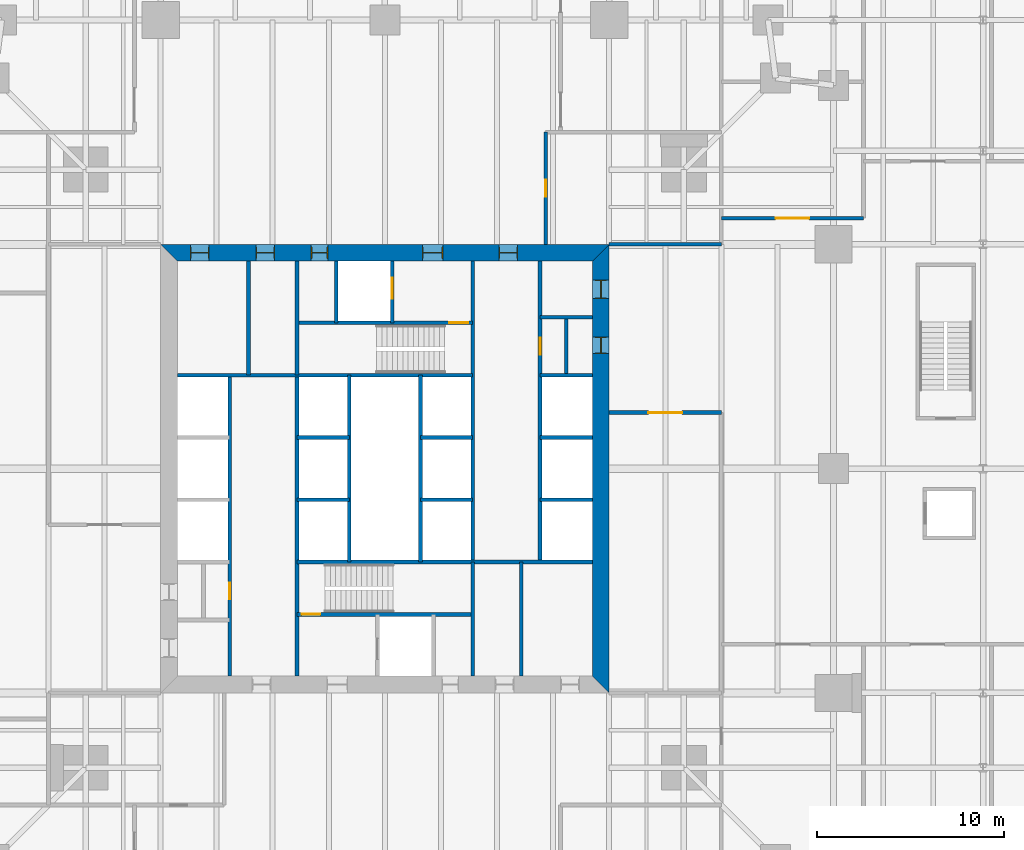
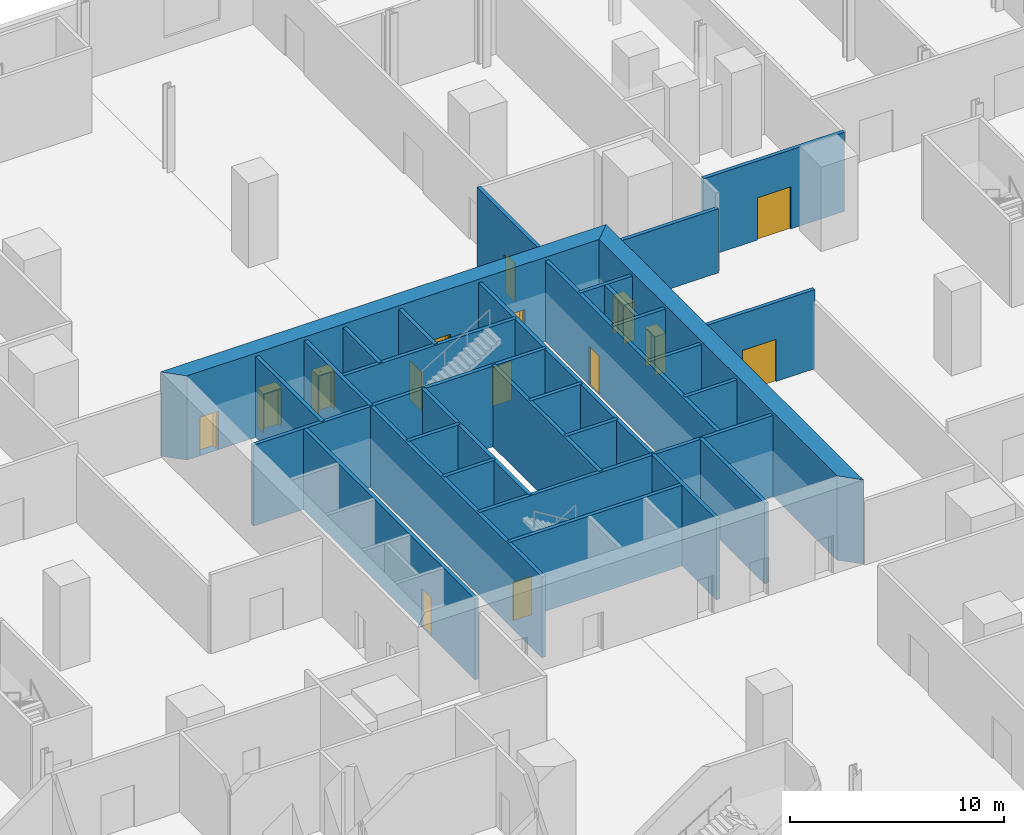
# One storey, part 12 of 16: 31 walls, 15 doors, 15 openings.
"""IFC4 building model written with IfcOpenShell, lengths in metres."""

from ifc_helpers import new_model, si_unit, direction, frame, frame_2d, origin, place, context, subcontext, project, spatial, polyline, rectangle, outline, extrude, material, layer, layer_set, type_object, element, fill, save


model = new_model("IFC4")

# Units and contexts
model_context = context("Model", 3, precision=1e-05, world=origin(), true_north=direction((0.0, 1.0)))
body_context = subcontext(model_context, "Body", "Model", "MODEL_VIEW")
ifc_project = project(units=[si_unit("LENGTHUNIT", "METRE"), si_unit("AREAUNIT", "SQUARE_METRE"), si_unit("VOLUMEUNIT", "CUBIC_METRE"), si_unit("PLANEANGLEUNIT", "RADIAN"), si_unit("MASSUNIT", "GRAM", prefix="KILO")], contexts=[model_context])

# Site, building, storey
site_placement = place(None, origin())
site = spatial("IfcSite", under=ifc_project, at=site_placement, CompositionType="ELEMENT")
building_placement = place(site_placement, origin())
building = spatial("IfcBuilding", under=site, at=building_placement, Name="Fenwick Lantern Interchange", CompositionType="ELEMENT")
storey_placement = place(building_placement, frame((0.0, 0.0, 7.0)))
storey = spatial("IfcBuildingStorey", under=building, at=storey_placement, Name="L01", CompositionType="ELEMENT", Elevation=7.0)

# Wall, opening, door
ifc_material_1 = material(Name="Concrete masonry ASTM C90 Grade N", Category="masonry")
ifc_layer_1 = layer(ifc_material_1, 0.199951171875)
ifc_layer_set_1 = layer_set([ifc_layer_1], Name="Concrete masonry ASTM C90 Grade N")
wall_type_1 = type_object("IfcWallType", Name="CORE PARTITION 200", PredefinedType="PARTITIONING", material=ifc_layer_set_1)
wall_1_placement = place(storey_placement, frame((16.699951171875, 13.89990234375, 0.0), z_axis=(0.0, 0.0, 1.0), x_axis=(0.0, 1.0, 0.0)))
wall_1 = element("IfcWall", 1, at=wall_1_placement, inside=storey, type_object=wall_type_1, Name="L01/W/CORES/a", PredefinedType="PARTITIONING", context=body_context, shape_type="SweptSolid", body=[
    extrude(rectangle(XDim=16.10009765625, YDim=0.199951171875, at=frame_2d((8.050048828125, 0.0))), origin(), (0.0, 0.0, 1.0), 4.60009765625),
])
opening_1_placement = place(wall_1_placement, frame((4.10009765625, 0.0, 0.0)))
opening_1 = element("IfcOpeningElement", 2, at=opening_1_placement, cuts=wall_1, Name="Opening L01-D008", PredefinedType="OPENING", context=body_context, shape_type="SweptSolid", body=[
    extrude(rectangle(XDim=0.89990234375, YDim=2.199951171875, at=frame_2d((0.449951171875, 1.10009765625))), frame((0.0, 0.10986328125, 0.0), z_axis=(0.0, -1.0, 0.0), x_axis=(1.0, 0.0, 0.0)), (0.0, 0.0, 1.0), 0.219970703125),
])
ifc_material_2 = material(Name="Steel door and frame", Category="steel")
door_type_1 = type_object("IfcDoorType", Name="SERVICE DOOR 900 X 2200", OperationType="SINGLE_SWING_LEFT", PredefinedType="DOOR", material=ifc_material_2)
door_1_placement = place(opening_1_placement, origin())
door_1 = element("IfcDoor", 3, at=door_1_placement, inside=storey, type_object=door_type_1, Name="Service door", OperationType="SINGLE_SWING_LEFT", OverallHeight=2.199951171875, OverallWidth=0.89990234375, PredefinedType="DOOR", context=body_context, shape_type="SweptSolid", body=[
    extrude(rectangle(XDim=0.89990234375, YDim=2.199951171875, at=frame_2d((0.449951171875, 1.10009765625))), frame((0.0, 0.02490234375, 0.0), z_axis=(0.0, -1.0, 0.0), x_axis=(1.0, 0.0, 0.0)), (0.0, 0.0, 1.0), 0.050048828125),
])
fill(opening_1, door_1)

# Walls
for number, where, z_axis, x_axis, name in (
    (4, (20.300048828125, 23.333251953125, 0.0), (0.0, 0.0, 1.0), (1.0, 0.0, 0.0), "L01/W/CORES/e1"),
    (5, (20.300048828125, 26.666748046875, 0.0), (0.0, 0.0, 1.0), (1.0, 0.0, 0.0), "L01/W/CORES/e2"),
):
    element("IfcWall", number, at=place(storey_placement, frame(where, z_axis=z_axis, x_axis=x_axis)), inside=storey, type_object=wall_type_1, Name=name, PredefinedType="PARTITIONING", context=body_context, shape_type="SweptSolid", body=[
        extrude(rectangle(XDim=2.800048828125, YDim=0.199951171875, at=frame_2d((1.39990234375, 0.0))), origin(), (0.0, 0.0, 1.0), 4.60009765625),
    ])
wall_2_placement = place(storey_placement, frame((23.10009765625, 20.0, 0.0), z_axis=(0.0, 0.0, 1.0), x_axis=(0.0, 1.0, 0.0)))
element("IfcWall", 6, at=wall_2_placement, inside=storey, type_object=wall_type_1, Name="L01/W/CORES/e3", PredefinedType="PARTITIONING", context=body_context, shape_type="SweptSolid", body=[
    extrude(rectangle(XDim=10.0, YDim=0.199951171875, at=frame_2d((5.0, 0.0))), origin(), (0.0, 0.0, 1.0), 4.60009765625),
])
wall_3_placement = place(storey_placement, frame((32.300048828125, 13.89990234375, 0.0), z_axis=(0.0, 0.0, 1.0), x_axis=(0.0, 1.0, 0.0)))
element("IfcWall", 7, at=wall_3_placement, inside=storey, type_object=wall_type_1, Name="L01/W/CORES/i2", PredefinedType="PARTITIONING", context=body_context, shape_type="SweptSolid", body=[
    extrude(rectangle(XDim=6.10009765625, YDim=0.199951171875, at=frame_2d((3.050048828125, 0.0))), origin(), (0.0, 0.0, 1.0), 4.60009765625),
])

# Wall, opening, door
wall_4_placement = place(storey_placement, frame((33.300048828125, 36.10009765625, 0.0), z_axis=(0.0, 0.0, 1.0), x_axis=(0.0, -1.0, 0.0)))
wall_4 = element("IfcWall", 8, at=wall_4_placement, inside=storey, type_object=wall_type_1, Name="L01/W/COREN/a", PredefinedType="PARTITIONING", context=body_context, shape_type="SweptSolid", body=[
    extrude(rectangle(XDim=16.10009765625, YDim=0.199951171875, at=frame_2d((8.050048828125, 0.0))), origin(), (0.0, 0.0, 1.0), 4.60009765625),
])
opening_2_placement = place(wall_4_placement, frame((4.10009765625, 0.0, 0.0)))
opening_2 = element("IfcOpeningElement", 9, at=opening_2_placement, cuts=wall_4, Name="Opening L01-D017", PredefinedType="OPENING", context=body_context, shape_type="SweptSolid", body=[
    extrude(rectangle(XDim=0.89990234375, YDim=2.199951171875, at=frame_2d((0.449951171875, 1.10009765625))), frame((0.0, 0.10986328125, 0.0), z_axis=(0.0, -1.0, 0.0), x_axis=(1.0, 0.0, 0.0)), (0.0, 0.0, 1.0), 0.219970703125),
])
door_2_placement = place(opening_2_placement, origin())
door_2 = element("IfcDoor", 10, at=door_2_placement, inside=storey, type_object=door_type_1, Name="Service door", OperationType="SINGLE_SWING_LEFT", OverallHeight=2.199951171875, OverallWidth=0.89990234375, PredefinedType="DOOR", context=body_context, shape_type="SweptSolid", body=[
    extrude(rectangle(XDim=0.89990234375, YDim=2.199951171875, at=frame_2d((0.449951171875, 1.10009765625))), frame((0.0, 0.02490234375, 0.0), z_axis=(0.0, -1.0, 0.0), x_axis=(1.0, 0.0, 0.0)), (0.0, 0.0, 1.0), 0.050048828125),
])
fill(opening_2, door_2)

# Walls
for number, where, z_axis, x_axis, name in (
    (11, (36.10009765625, 30.0, 0.0), (0.0, 0.0, 1.0), (-1.0, 0.0, 0.0), "L01/W/COREN/c2"),
    (12, (36.10009765625, 26.666748046875, 0.0), (0.0, 0.0, 1.0), (-1.0, 0.0, 0.0), "L01/W/COREN/d1"),
    (13, (36.10009765625, 23.333251953125, 0.0), (0.0, 0.0, 1.0), (-1.0, 0.0, 0.0), "L01/W/COREN/d2"),
    (14, (29.699951171875, 26.666748046875, 0.0), (0.0, 0.0, 1.0), (-1.0, 0.0, 0.0), "L01/W/COREN/e1"),
    (15, (29.699951171875, 23.333251953125, 0.0), (0.0, 0.0, 1.0), (-1.0, 0.0, 0.0), "L01/W/COREN/e2"),
):
    element("IfcWall", number, at=place(storey_placement, frame(where, z_axis=z_axis, x_axis=x_axis)), inside=storey, type_object=wall_type_1, Name=name, PredefinedType="PARTITIONING", context=body_context, shape_type="SweptSolid", body=[
        extrude(rectangle(XDim=2.800048828125, YDim=0.199951171875, at=frame_2d((1.39990234375, 0.0))), origin(), (0.0, 0.0, 1.0), 4.60009765625),
    ])
wall_5_placement = place(storey_placement, frame((26.89990234375, 30.0, 0.0), z_axis=(0.0, 0.0, 1.0), x_axis=(0.0, -1.0, 0.0)))
element("IfcWall", 16, at=wall_5_placement, inside=storey, type_object=wall_type_1, Name="L01/W/COREN/e3", PredefinedType="PARTITIONING", context=body_context, shape_type="SweptSolid", body=[
    extrude(rectangle(XDim=10.0, YDim=0.199951171875, at=frame_2d((5.0, 0.0))), origin(), (0.0, 0.0, 1.0), 4.60009765625),
])

# Wall, opening, door
wall_6_placement = place(storey_placement, frame((25.39990234375, 36.10009765625, 0.0), z_axis=(0.0, 0.0, 1.0), x_axis=(0.0, -1.0, 0.0)))
wall_6 = element("IfcWall", 17, at=wall_6_placement, inside=storey, type_object=wall_type_1, Name="L01/W/COREN/h1", PredefinedType="PARTITIONING", context=body_context, shape_type="SweptSolid", body=[
    extrude(rectangle(XDim=3.300048828125, YDim=0.199951171875, at=frame_2d((1.64990234375, 0.0))), origin(), (0.0, 0.0, 1.0), 4.60009765625),
])
opening_3_placement = place(wall_6_placement, frame((0.89990234375, 0.0, 0.0)))
opening_3 = element("IfcOpeningElement", 18, at=opening_3_placement, cuts=wall_6, Name="Opening LD-FL2", PredefinedType="OPENING", context=body_context, shape_type="SweptSolid", body=[
    extrude(rectangle(XDim=1.10009765625, YDim=2.199951171875, at=frame_2d((0.550048828125, 1.10009765625))), frame((0.0, 0.10986328125, 0.0), z_axis=(0.0, -1.0, 0.0), x_axis=(1.0, 0.0, 0.0)), (0.0, 0.0, 1.0), 0.219970703125),
])
door_type_2 = type_object("IfcDoorType", Name="LIFT LANDING DOOR 1100 X 2200", OperationType="DOUBLE_DOOR_SLIDING", PredefinedType="DOOR", material=ifc_material_2)
door_3_placement = place(opening_3_placement, origin())
door_3 = element("IfcDoor", 19, at=door_3_placement, inside=storey, type_object=door_type_2, Name="Lift landing door FL2", OperationType="DOUBLE_DOOR_SLIDING", OverallHeight=2.199951171875, OverallWidth=1.10009765625, PredefinedType="DOOR", context=body_context, shape_type="SweptSolid", body=[
    extrude(rectangle(XDim=1.10009765625, YDim=2.199951171875, at=frame_2d((0.550048828125, 1.10009765625))), frame((0.0, 0.02490234375, 0.0), z_axis=(0.0, -1.0, 0.0), x_axis=(1.0, 0.0, 0.0)), (0.0, 0.0, 1.0), 0.050048828125),
])
fill(opening_3, door_3)

# Walls
wall_7_placement = place(storey_placement, frame((22.39990234375, 36.10009765625, 0.0), z_axis=(0.0, 0.0, 1.0), x_axis=(0.0, -1.0, 0.0)))
element("IfcWall", 20, at=wall_7_placement, inside=storey, type_object=wall_type_1, Name="L01/W/COREN/h2", PredefinedType="PARTITIONING", context=body_context, shape_type="SweptSolid", body=[
    extrude(rectangle(XDim=3.300048828125, YDim=0.199951171875, at=frame_2d((1.64990234375, 0.0))), origin(), (0.0, 0.0, 1.0), 4.60009765625),
])
wall_8_placement = place(storey_placement, frame((17.699951171875, 36.10009765625, 0.0), z_axis=(0.0, 0.0, 1.0), x_axis=(0.0, -1.0, 0.0)))
element("IfcWall", 21, at=wall_8_placement, inside=storey, type_object=wall_type_1, Name="L01/W/COREN/i2", PredefinedType="PARTITIONING", context=body_context, shape_type="SweptSolid", body=[
    extrude(rectangle(XDim=6.10009765625, YDim=0.199951171875, at=frame_2d((3.050048828125, 0.0))), origin(), (0.0, 0.0, 1.0), 4.60009765625),
])
wall_9_placement = place(storey_placement, frame((36.10009765625, 33.10009765625, 0.0), z_axis=(0.0, 0.0, 1.0), x_axis=(-1.0, 0.0, 0.0)))
element("IfcWall", 22, at=wall_9_placement, inside=storey, type_object=wall_type_1, Name="L01/W/COREN/p1", PredefinedType="PARTITIONING", context=body_context, shape_type="SweptSolid", body=[
    extrude(rectangle(XDim=2.800048828125, YDim=0.199951171875, at=frame_2d((1.39990234375, 0.0))), origin(), (0.0, 0.0, 1.0), 4.60009765625),
])
wall_10_placement = place(storey_placement, frame((34.699951171875, 33.10009765625, 0.0), z_axis=(0.0, 0.0, 1.0), x_axis=(0.0, -1.0, 0.0)))
element("IfcWall", 23, at=wall_10_placement, inside=storey, type_object=wall_type_1, Name="L01/W/COREN/px", PredefinedType="PARTITIONING", context=body_context, shape_type="SweptSolid", body=[
    extrude(rectangle(XDim=3.10009765625, YDim=0.199951171875, at=frame_2d((1.550048828125, 0.0))), origin(), (0.0, 0.0, 1.0), 4.60009765625),
])

# Wall, openings, doors
ifc_material_3 = material(Name="Concrete f'c 70 MPa", Category="concrete")
ifc_layer_2 = layer(ifc_material_3, 0.89990234375)
ifc_layer_set_2 = layer_set([ifc_layer_2], Name="CORE WALL 900")
wall_type_2 = type_object("IfcWallType", Name="CORE WALL 900", PredefinedType="SHEAR", material=ifc_layer_set_2)
wall_11_placement = place(storey_placement, frame((36.550048828125, 13.89990234375, 0.0), z_axis=(0.0, 0.0, 1.0), x_axis=(0.0, 1.0, 0.0)))
wall_11 = element("IfcWall", 24, at=wall_11_placement, inside=storey, type_object=wall_type_2, Name="L01/CORE/E", PredefinedType="SHEAR", context=body_context, shape_type="SweptSolid", body=[
    extrude(outline(polyline([(-0.89990234375, -0.449951171875), (23.10009765625, -0.449951171875), (22.199951171875, 0.449951171875), (0.0, 0.449951171875), (-0.89990234375, -0.449951171875)])), origin(), (0.0, 0.0, 1.0), 4.800048828125),
])
opening_4_placement = place(wall_11_placement, frame((20.199951171875, 0.0, 0.0)))
opening_4 = element("IfcOpeningElement", 25, at=opening_4_placement, cuts=wall_11, Name="Opening L01-D016", PredefinedType="OPENING", context=body_context, shape_type="SweptSolid", body=[
    extrude(rectangle(XDim=1.0, YDim=2.199951171875, at=frame_2d((0.5, 1.10009765625))), frame((0.0, 0.4599609375, 0.0), z_axis=(0.0, -1.0, 0.0), x_axis=(1.0, 0.0, 0.0)), (0.0, 0.0, 1.0), 0.919921875),
])
opening_5_placement = place(wall_11_placement, frame((17.25, 0.0, 0.0)))
opening_5 = element("IfcOpeningElement", 26, at=opening_5_placement, cuts=wall_11, Name="Opening L01-D018", PredefinedType="OPENING", context=body_context, shape_type="SweptSolid", body=[
    extrude(rectangle(XDim=0.89990234375, YDim=2.199951171875, at=frame_2d((0.449951171875, 1.10009765625))), frame((0.0, 0.4599609375, 0.0), z_axis=(0.0, -1.0, 0.0), x_axis=(1.0, 0.0, 0.0)), (0.0, 0.0, 1.0), 0.919921875),
])
door_4_placement = place(opening_5_placement, origin())
door_4 = element("IfcDoor", 27, at=door_4_placement, inside=storey, type_object=door_type_1, Name="Service door", OperationType="SINGLE_SWING_RIGHT", OverallHeight=2.199951171875, OverallWidth=0.89990234375, PredefinedType="DOOR", context=body_context, shape_type="SweptSolid", body=[
    extrude(rectangle(XDim=0.89990234375, YDim=2.199951171875, at=frame_2d((0.449951171875, 1.10009765625))), frame((0.0, 0.02490234375, 0.0), z_axis=(0.0, -1.0, 0.0), x_axis=(1.0, 0.0, 0.0)), (0.0, 0.0, 1.0), 0.050048828125),
    extrude(outline(polyline([(0.0, 0.0), (0.0400390625, 0.0), (0.0400390625, 2.159912109375), (0.85986328125, 2.159912109375), (0.85986328125, 0.0), (0.89990234375, 0.0), (0.89990234375, 2.199951171875), (0.0, 2.199951171875), (0.0, 0.0)])), frame((0.0, 0.300048828125, 0.0), z_axis=(0.0, -1.0, 0.0), x_axis=(1.0, 0.0, 0.0)), (0.0, 0.0, 1.0), 0.60009765625),
])
fill(opening_5, door_4)
ifc_material_4 = material(Name="Hardwood door and steel frame", Category="steel")
door_type_3 = type_object("IfcDoorType", Name="WC DOOR 1000 X 2200", OperationType="SINGLE_SWING_LEFT", PredefinedType="DOOR", material=ifc_material_4)
door_5_placement = place(opening_4_placement, origin())
door_5 = element("IfcDoor", 28, at=door_5_placement, inside=storey, type_object=door_type_3, Name="Wc door", OperationType="SINGLE_SWING_LEFT", OverallHeight=2.199951171875, OverallWidth=1.0, PredefinedType="DOOR", context=body_context, shape_type="SweptSolid", body=[
    extrude(rectangle(XDim=1.0, YDim=2.199951171875, at=frame_2d((0.5, 1.10009765625))), frame((0.0, 0.02490234375, 0.0), z_axis=(0.0, -1.0, 0.0), x_axis=(1.0, 0.0, 0.0)), (0.0, 0.0, 1.0), 0.050048828125),
    extrude(outline(polyline([(0.0, 0.0), (0.0400390625, 0.0), (0.0400390625, 2.159912109375), (0.9599609375, 2.159912109375), (0.9599609375, 0.0), (1.0, 0.0), (1.0, 2.199951171875), (0.0, 2.199951171875), (0.0, 0.0)])), frame((0.0, 0.300048828125, 0.0), z_axis=(0.0, -1.0, 0.0), x_axis=(1.0, 0.0, 0.0)), (0.0, 0.0, 1.0), 0.60009765625),
])
fill(opening_4, door_5)

wall_12_placement = place(storey_placement, frame((37.0, 36.550048828125, 0.0), z_axis=(0.0, 0.0, 1.0), x_axis=(-1.0, 0.0, 0.0)))
wall_12 = element("IfcWall", 29, at=wall_12_placement, inside=storey, type_object=wall_type_2, Name="L01/CORE/N", PredefinedType="SHEAR", context=body_context, shape_type="SweptSolid", body=[
    extrude(outline(polyline([(0.0, -0.449951171875), (24.0, -0.449951171875), (23.10009765625, 0.449951171875), (0.89990234375, 0.449951171875), (0.0, -0.449951171875)])), origin(), (0.0, 0.0, 1.0), 4.800048828125),
])
opening_6_placement = place(wall_12_placement, frame((4.89990234375, 0.0, 0.0)))
opening_6 = element("IfcOpeningElement", 30, at=opening_6_placement, cuts=wall_12, Name="Opening L01-D010", PredefinedType="OPENING", context=body_context, shape_type="SweptSolid", body=[
    extrude(rectangle(XDim=1.0, YDim=2.199951171875, at=frame_2d((0.5, 1.10009765625))), frame((0.0, 0.4599609375, 0.0), z_axis=(0.0, -1.0, 0.0), x_axis=(1.0, 0.0, 0.0)), (0.0, 0.0, 1.0), 0.919921875),
])
opening_7_placement = place(wall_12_placement, frame((8.89990234375, 0.0, 0.0)))
opening_7 = element("IfcOpeningElement", 31, at=opening_7_placement, cuts=wall_12, Name="Opening L01-D011", PredefinedType="OPENING", context=body_context, shape_type="SweptSolid", body=[
    extrude(rectangle(XDim=1.10009765625, YDim=2.199951171875, at=frame_2d((0.550048828125, 1.10009765625))), frame((0.0, 0.4599609375, 0.0), z_axis=(0.0, -1.0, 0.0), x_axis=(1.0, 0.0, 0.0)), (0.0, 0.0, 1.0), 0.919921875),
])
opening_8_placement = place(wall_12_placement, frame((15.050048828125, 0.0, 0.0)))
opening_8 = element("IfcOpeningElement", 32, at=opening_8_placement, cuts=wall_12, Name="Opening L01-D013", PredefinedType="OPENING", context=body_context, shape_type="SweptSolid", body=[
    extrude(rectangle(XDim=0.89990234375, YDim=2.199951171875, at=frame_2d((0.449951171875, 1.10009765625))), frame((0.0, 0.4599609375, 0.0), z_axis=(0.0, -1.0, 0.0), x_axis=(1.0, 0.0, 0.0)), (0.0, 0.0, 1.0), 0.919921875),
])
opening_9_placement = place(wall_12_placement, frame((17.89990234375, 0.0, 0.0)))
opening_9 = element("IfcOpeningElement", 33, at=opening_9_placement, cuts=wall_12, Name="Opening L01-D014", PredefinedType="OPENING", context=body_context, shape_type="SweptSolid", body=[
    extrude(rectangle(XDim=1.0, YDim=2.199951171875, at=frame_2d((0.5, 1.10009765625))), frame((0.0, 0.4599609375, 0.0), z_axis=(0.0, -1.0, 0.0), x_axis=(1.0, 0.0, 0.0)), (0.0, 0.0, 1.0), 0.919921875),
])
opening_10_placement = place(wall_12_placement, frame((21.39990234375, 0.0, 0.0)))
opening_10 = element("IfcOpeningElement", 34, at=opening_10_placement, cuts=wall_12, Name="Opening L01-D015", PredefinedType="OPENING", context=body_context, shape_type="SweptSolid", body=[
    extrude(rectangle(XDim=1.0, YDim=2.199951171875, at=frame_2d((0.5, 1.10009765625))), frame((0.0, 0.4599609375, 0.0), z_axis=(0.0, -1.0, 0.0), x_axis=(1.0, 0.0, 0.0)), (0.0, 0.0, 1.0), 0.919921875),
])
door_type_4 = type_object("IfcDoorType", Name="CORE LOBBY DOOR 1000 X 2200", OperationType="SINGLE_SWING_LEFT", PredefinedType="DOOR", material=ifc_material_2)
door_6_placement = place(opening_6_placement, origin())
door_6 = element("IfcDoor", 35, at=door_6_placement, inside=storey, type_object=door_type_4, Name="Core lobby door", OperationType="SINGLE_SWING_LEFT", OverallHeight=2.199951171875, OverallWidth=1.0, PredefinedType="DOOR", context=body_context, shape_type="SweptSolid", body=[
    extrude(rectangle(XDim=1.0, YDim=2.199951171875, at=frame_2d((0.5, 1.10009765625))), frame((0.0, 0.02490234375, 0.0), z_axis=(0.0, -1.0, 0.0), x_axis=(1.0, 0.0, 0.0)), (0.0, 0.0, 1.0), 0.050048828125),
    extrude(outline(polyline([(0.0, 0.0), (0.0400390625, 0.0), (0.0400390625, 2.159912109375), (0.9599609375, 2.159912109375), (0.9599609375, 0.0), (1.0, 0.0), (1.0, 2.199951171875), (0.0, 2.199951171875), (0.0, 0.0)])), frame((0.0, 0.300048828125, 0.0), z_axis=(0.0, -1.0, 0.0), x_axis=(1.0, 0.0, 0.0)), (0.0, 0.0, 1.0), 0.60009765625),
])
fill(opening_6, door_6)
door_type_5 = type_object("IfcDoorType", Name="FIRE LOBBY DOOR 1100 X 2200", OperationType="SINGLE_SWING_LEFT", PredefinedType="DOOR", material=ifc_material_2)
door_7_placement = place(opening_7_placement, origin())
door_7 = element("IfcDoor", 36, at=door_7_placement, inside=storey, type_object=door_type_5, Name="Fire lobby door", OperationType="SINGLE_SWING_LEFT", OverallHeight=2.199951171875, OverallWidth=1.10009765625, PredefinedType="DOOR", context=body_context, shape_type="SweptSolid", body=[
    extrude(rectangle(XDim=1.10009765625, YDim=2.199951171875, at=frame_2d((0.550048828125, 1.10009765625))), frame((0.0, 0.02490234375, 0.0), z_axis=(0.0, -1.0, 0.0), x_axis=(1.0, 0.0, 0.0)), (0.0, 0.0, 1.0), 0.050048828125),
    extrude(outline(polyline([(0.0, 0.0), (0.0400390625, 0.0), (0.0400390625, 2.159912109375), (1.06005859375, 2.159912109375), (1.06005859375, 0.0), (1.10009765625, 0.0), (1.10009765625, 2.199951171875), (0.0, 2.199951171875), (0.0, 0.0)])), frame((0.0, 0.300048828125, 0.0), z_axis=(0.0, -1.0, 0.0), x_axis=(1.0, 0.0, 0.0)), (0.0, 0.0, 1.0), 0.60009765625),
])
fill(opening_7, door_7)
door_8_placement = place(opening_8_placement, origin())
door_8 = element("IfcDoor", 37, at=door_8_placement, inside=storey, type_object=door_type_1, Name="Service door", OperationType="SINGLE_SWING_LEFT", OverallHeight=2.199951171875, OverallWidth=0.89990234375, PredefinedType="DOOR", context=body_context, shape_type="SweptSolid", body=[
    extrude(rectangle(XDim=0.89990234375, YDim=2.199951171875, at=frame_2d((0.449951171875, 1.10009765625))), frame((0.0, 0.02490234375, 0.0), z_axis=(0.0, -1.0, 0.0), x_axis=(1.0, 0.0, 0.0)), (0.0, 0.0, 1.0), 0.050048828125),
    extrude(outline(polyline([(0.0, 0.0), (0.0400390625, 0.0), (0.0400390625, 2.159912109375), (0.85986328125, 2.159912109375), (0.85986328125, 0.0), (0.89990234375, 0.0), (0.89990234375, 2.199951171875), (0.0, 2.199951171875), (0.0, 0.0)])), frame((0.0, 0.300048828125, 0.0), z_axis=(0.0, -1.0, 0.0), x_axis=(1.0, 0.0, 0.0)), (0.0, 0.0, 1.0), 0.60009765625),
])
fill(opening_8, door_8)
door_9_placement = place(opening_9_placement, origin())
door_9 = element("IfcDoor", 38, at=door_9_placement, inside=storey, type_object=door_type_3, Name="Wc door", OperationType="SINGLE_SWING_RIGHT", OverallHeight=2.199951171875, OverallWidth=1.0, PredefinedType="DOOR", context=body_context, shape_type="SweptSolid", body=[
    extrude(rectangle(XDim=1.0, YDim=2.199951171875, at=frame_2d((0.5, 1.10009765625))), frame((0.0, 0.02490234375, 0.0), z_axis=(0.0, -1.0, 0.0), x_axis=(1.0, 0.0, 0.0)), (0.0, 0.0, 1.0), 0.050048828125),
    extrude(outline(polyline([(0.0, 0.0), (0.0400390625, 0.0), (0.0400390625, 2.159912109375), (0.9599609375, 2.159912109375), (0.9599609375, 0.0), (1.0, 0.0), (1.0, 2.199951171875), (0.0, 2.199951171875), (0.0, 0.0)])), frame((0.0, 0.300048828125, 0.0), z_axis=(0.0, -1.0, 0.0), x_axis=(1.0, 0.0, 0.0)), (0.0, 0.0, 1.0), 0.60009765625),
])
fill(opening_9, door_9)
door_10_placement = place(opening_10_placement, origin())
door_10 = element("IfcDoor", 39, at=door_10_placement, inside=storey, type_object=door_type_3, Name="Wc door", OperationType="SINGLE_SWING_RIGHT", OverallHeight=2.199951171875, OverallWidth=1.0, PredefinedType="DOOR", context=body_context, shape_type="SweptSolid", body=[
    extrude(rectangle(XDim=1.0, YDim=2.199951171875, at=frame_2d((0.5, 1.10009765625))), frame((0.0, 0.02490234375, 0.0), z_axis=(0.0, -1.0, 0.0), x_axis=(1.0, 0.0, 0.0)), (0.0, 0.0, 1.0), 0.050048828125),
    extrude(outline(polyline([(0.0, 0.0), (0.0400390625, 0.0), (0.0400390625, 2.159912109375), (0.9599609375, 2.159912109375), (0.9599609375, 0.0), (1.0, 0.0), (1.0, 2.199951171875), (0.0, 2.199951171875), (0.0, 0.0)])), frame((0.0, 0.300048828125, 0.0), z_axis=(0.0, -1.0, 0.0), x_axis=(1.0, 0.0, 0.0)), (0.0, 0.0, 1.0), 0.60009765625),
])
fill(opening_10, door_10)

# Wall, opening, door
ifc_material_5 = material(Name="Gypsum board on steel studs, 1 hour", Category="steel")
ifc_layer_3 = layer(ifc_material_5, 0.199951171875)
ifc_layer_set_3 = layer_set([ifc_layer_3], Name="ROOM WALL 200")
wall_type_3 = type_object("IfcWallType", Name="ROOM WALL 200", PredefinedType="PARTITIONING", material=ifc_layer_set_3)
wall_13_placement = place(storey_placement, frame((33.60009765625, 37.0, 0.0), z_axis=(0.0, 0.0, 1.0), x_axis=(0.0, 1.0, 0.0)))
wall_13 = element("IfcWall", 40, at=wall_13_placement, inside=storey, type_object=wall_type_3, Name="L01/W/POD/X33.6-1", PredefinedType="PARTITIONING", context=body_context, shape_type="SweptSolid", body=[
    extrude(rectangle(XDim=6.0, YDim=0.199951171875, at=frame_2d((3.0, 0.0))), origin(), (0.0, 0.0, 1.0), 4.5),
])
opening_11_placement = place(wall_13_placement, frame((2.550048828125, 0.0, 0.0)))
opening_11 = element("IfcOpeningElement", 41, at=opening_11_placement, cuts=wall_13, Name="Opening L01-D052", PredefinedType="OPENING", context=body_context, shape_type="SweptSolid", body=[
    extrude(rectangle(XDim=0.89990234375, YDim=2.199951171875, at=frame_2d((0.449951171875, 1.10009765625))), frame((0.0, 0.10986328125, 0.0), z_axis=(0.0, -1.0, 0.0), x_axis=(1.0, 0.0, 0.0)), (0.0, 0.0, 1.0), 0.219970703125),
])
door_type_6 = type_object("IfcDoorType", Name="OFFICE DOOR 900 X 2200", OperationType="SINGLE_SWING_LEFT", PredefinedType="DOOR", material=ifc_material_4)
door_11_placement = place(opening_11_placement, frame((0.89990234375, 0.0, 0.0), z_axis=(0.0, 0.0, 1.0), x_axis=(-1.0, 0.0, 0.0)))
door_11 = element("IfcDoor", 42, at=door_11_placement, inside=storey, type_object=door_type_6, Name="Office door", OperationType="SINGLE_SWING_LEFT", OverallHeight=2.199951171875, OverallWidth=0.89990234375, PredefinedType="DOOR", context=body_context, shape_type="SweptSolid", body=[
    extrude(rectangle(XDim=0.89990234375, YDim=2.199951171875, at=frame_2d((0.449951171875, 1.10009765625))), frame((0.0, 0.02490234375, 0.0), z_axis=(0.0, -1.0, 0.0), x_axis=(1.0, 0.0, 0.0)), (0.0, 0.0, 1.0), 0.050048828125),
])
fill(opening_11, door_11)

wall_14_placement = place(storey_placement, frame((37.0, 28.0, 0.0), z_axis=(0.0, 0.0, 1.0), x_axis=(1.0, 0.0, 0.0)))
wall_14 = element("IfcWall", 43, at=wall_14_placement, inside=storey, type_object=wall_type_3, Name="L01/W/POD/Y28-1", PredefinedType="PARTITIONING", context=body_context, shape_type="SweptSolid", body=[
    extrude(rectangle(XDim=6.0, YDim=0.199951171875, at=frame_2d((3.0, 0.0))), origin(), (0.0, 0.0, 1.0), 4.5),
])
opening_12_placement = place(wall_14_placement, frame((2.099853515625, 0.0, 0.0)))
opening_12 = element("IfcOpeningElement", 44, at=opening_12_placement, cuts=wall_14, Name="Opening L01-D050", PredefinedType="OPENING", context=body_context, shape_type="SweptSolid", body=[
    extrude(rectangle(XDim=1.800048828125, YDim=2.39990234375, at=frame_2d((0.89990234375, 1.199951171875))), frame((0.0, 0.10986328125, 0.0), z_axis=(0.0, -1.0, 0.0), x_axis=(1.0, 0.0, 0.0)), (0.0, 0.0, 1.0), 0.219970703125),
])
door_type_7 = type_object("IfcDoorType", Name="ROOM DOOR PAIR 1800 X 2400", OperationType="DOUBLE_DOOR_SINGLE_SWING", PredefinedType="DOOR", material=ifc_material_2)
door_12_placement = place(opening_12_placement, origin())
door_12 = element("IfcDoor", 45, at=door_12_placement, inside=storey, type_object=door_type_7, Name="Room door pair", OperationType="DOUBLE_DOOR_SINGLE_SWING", OverallHeight=2.39990234375, OverallWidth=1.800048828125, PredefinedType="DOOR", context=body_context, shape_type="SweptSolid", body=[
    extrude(rectangle(XDim=1.800048828125, YDim=2.39990234375, at=frame_2d((0.89990234375, 1.199951171875))), frame((0.0, 0.02490234375, 0.0), z_axis=(0.0, -1.0, 0.0), x_axis=(1.0, 0.0, 0.0)), (0.0, 0.0, 1.0), 0.050048828125),
])
fill(opening_12, door_12)

# Wall
wall_15_placement = place(storey_placement, frame((37.0, 37.0, 0.0), z_axis=(0.0, 0.0, 1.0), x_axis=(1.0, 0.0, 0.0)))
element("IfcWall", 46, at=wall_15_placement, inside=storey, type_object=wall_type_3, Name="L01/W/POD/Y37-2", PredefinedType="PARTITIONING", context=body_context, shape_type="SweptSolid", body=[
    extrude(rectangle(XDim=6.0, YDim=0.199951171875, at=frame_2d((3.0, 0.0))), origin(), (0.0, 0.0, 1.0), 3.652587890625),
])

# Wall, opening, door
wall_16_placement = place(storey_placement, frame((43.0, 38.39990234375, 0.0), z_axis=(0.0, 0.0, 1.0), x_axis=(1.0, 0.0, 0.0)))
wall_16 = element("IfcWall", 47, at=wall_16_placement, inside=storey, type_object=wall_type_3, Name="L01/W/POD/Y38.4-1", PredefinedType="PARTITIONING", context=body_context, shape_type="SweptSolid", body=[
    extrude(rectangle(XDim=7.60009765625, YDim=0.199951171875, at=frame_2d((3.800048828125, 0.0))), origin(), (0.0, 0.0, 1.0), 4.5),
])
opening_13_placement = place(wall_16_placement, frame((2.89990234375, 0.0, 0.0)))
opening_13 = element("IfcOpeningElement", 48, at=opening_13_placement, cuts=wall_16, Name="Opening L01-D037", PredefinedType="OPENING", context=body_context, shape_type="SweptSolid", body=[
    extrude(rectangle(XDim=1.800048828125, YDim=2.39990234375, at=frame_2d((0.89990234375, 1.199951171875))), frame((0.0, 0.10986328125, 0.0), z_axis=(0.0, -1.0, 0.0), x_axis=(1.0, 0.0, 0.0)), (0.0, 0.0, 1.0), 0.219970703125),
])
door_13_placement = place(opening_13_placement, frame((1.800048828125, 0.0, 0.0), z_axis=(0.0, 0.0, 1.0), x_axis=(-1.0, 0.0, 0.0)))
door_13 = element("IfcDoor", 49, at=door_13_placement, inside=storey, type_object=door_type_7, Name="Room door pair", OperationType="DOUBLE_DOOR_SINGLE_SWING", OverallHeight=2.39990234375, OverallWidth=1.800048828125, PredefinedType="DOOR", context=body_context, shape_type="SweptSolid", body=[
    extrude(rectangle(XDim=1.800048828125, YDim=2.39990234375, at=frame_2d((0.89990234375, 1.199951171875))), frame((0.0, 0.02490234375, 0.0), z_axis=(0.0, -1.0, 0.0), x_axis=(1.0, 0.0, 0.0)), (0.0, 0.0, 1.0), 0.050048828125),
])
fill(opening_13, door_13)

# Wall
ifc_material_6 = material(Name="Concrete f'c 45 MPa", Category="concrete")
ifc_layer_4 = layer(ifc_material_6, 0.199951171875)
ifc_layer_set_4 = layer_set([ifc_layer_4], Name="STAIR CORE WALL 200")
wall_type_4 = type_object("IfcWallType", Name="STAIR CORE WALL 200", PredefinedType="SOLIDWALL", material=ifc_layer_set_4)
wall_17_placement = place(storey_placement, frame((20.300048828125, 13.89990234375, 0.0), z_axis=(0.0, 0.0, 1.0), x_axis=(0.0, 1.0, 0.0)))
element("IfcWall", 50, at=wall_17_placement, inside=storey, type_object=wall_type_4, Name="L01/W/CORES/b", PredefinedType="SOLIDWALL", context=body_context, shape_type="SweptSolid", body=[
    extrude(rectangle(XDim=16.10009765625, YDim=0.199951171875, at=frame_2d((8.050048828125, 0.0))), origin(), (0.0, 0.0, 1.0), 4.60009765625),
])

# Wall, opening, door
wall_18_placement = place(storey_placement, frame((20.300048828125, 17.199951171875, 0.0), z_axis=(0.0, 0.0, 1.0), x_axis=(1.0, 0.0, 0.0)))
wall_18 = element("IfcWall", 51, at=wall_18_placement, inside=storey, type_object=wall_type_4, Name="L01/W/CORES/g1", PredefinedType="SOLIDWALL", context=body_context, shape_type="SweptSolid", body=[
    extrude(rectangle(XDim=9.39990234375, YDim=0.199951171875, at=frame_2d((4.699951171875, 0.0))), origin(), (0.0, 0.0, 1.0), 4.60009765625),
])
opening_14_placement = place(wall_18_placement, frame((0.25, 0.0, 0.0)))
opening_14 = element("IfcOpeningElement", 52, at=opening_14_placement, cuts=wall_18, Name="Opening L01-D003", PredefinedType="OPENING", context=body_context, shape_type="SweptSolid", body=[
    extrude(rectangle(XDim=1.0, YDim=2.199951171875, at=frame_2d((0.5, 1.10009765625))), frame((0.0, 0.10986328125, 0.0), z_axis=(0.0, -1.0, 0.0), x_axis=(1.0, 0.0, 0.0)), (0.0, 0.0, 1.0), 0.219970703125),
])
door_type_8 = type_object("IfcDoorType", Name="STAIR DOOR 1000 X 2200", OperationType="SINGLE_SWING_LEFT", PredefinedType="DOOR", material=ifc_material_2)
door_14_placement = place(opening_14_placement, origin())
door_14 = element("IfcDoor", 53, at=door_14_placement, inside=storey, type_object=door_type_8, Name="Stair door", OperationType="SINGLE_SWING_LEFT", OverallHeight=2.199951171875, OverallWidth=1.0, PredefinedType="DOOR", context=body_context, shape_type="SweptSolid", body=[
    extrude(rectangle(XDim=1.0, YDim=2.199951171875, at=frame_2d((0.5, 1.10009765625))), frame((0.0, 0.02490234375, 0.0), z_axis=(0.0, -1.0, 0.0), x_axis=(1.0, 0.0, 0.0)), (0.0, 0.0, 1.0), 0.050048828125),
])
fill(opening_14, door_14)

# Walls
wall_19_placement = place(storey_placement, frame((20.300048828125, 20.0, 0.0), z_axis=(0.0, 0.0, 1.0), x_axis=(1.0, 0.0, 0.0)))
element("IfcWall", 54, at=wall_19_placement, inside=storey, type_object=wall_type_4, Name="L01/W/CORES/g2", PredefinedType="SOLIDWALL", context=body_context, shape_type="SweptSolid", body=[
    extrude(rectangle(XDim=15.800048828125, YDim=0.199951171875, at=frame_2d((7.89990234375, 0.0))), origin(), (0.0, 0.0, 1.0), 4.60009765625),
])
wall_20_placement = place(storey_placement, frame((29.699951171875, 13.89990234375, 0.0), z_axis=(0.0, 0.0, 1.0), x_axis=(0.0, 1.0, 0.0)))
element("IfcWall", 55, at=wall_20_placement, inside=storey, type_object=wall_type_4, Name="L01/W/CORES/i1", PredefinedType="SOLIDWALL", context=body_context, shape_type="SweptSolid", body=[
    extrude(rectangle(XDim=6.10009765625, YDim=0.199951171875, at=frame_2d((3.050048828125, 0.0))), origin(), (0.0, 0.0, 1.0), 4.60009765625),
])
wall_21_placement = place(storey_placement, frame((29.699951171875, 36.10009765625, 0.0), z_axis=(0.0, 0.0, 1.0), x_axis=(0.0, -1.0, 0.0)))
element("IfcWall", 56, at=wall_21_placement, inside=storey, type_object=wall_type_4, Name="L01/W/COREN/b", PredefinedType="SOLIDWALL", context=body_context, shape_type="SweptSolid", body=[
    extrude(rectangle(XDim=16.10009765625, YDim=0.199951171875, at=frame_2d((8.050048828125, 0.0))), origin(), (0.0, 0.0, 1.0), 4.60009765625),
])

# Wall, opening, door
wall_22_placement = place(storey_placement, frame((29.699951171875, 32.800048828125, 0.0), z_axis=(0.0, 0.0, 1.0), x_axis=(-1.0, 0.0, 0.0)))
wall_22 = element("IfcWall", 57, at=wall_22_placement, inside=storey, type_object=wall_type_4, Name="L01/W/COREN/g1", PredefinedType="SOLIDWALL", context=body_context, shape_type="SweptSolid", body=[
    extrude(rectangle(XDim=9.39990234375, YDim=0.199951171875, at=frame_2d((4.699951171875, 0.0))), origin(), (0.0, 0.0, 1.0), 4.60009765625),
])
opening_15_placement = place(wall_22_placement, frame((0.25, 0.0, 0.0)))
opening_15 = element("IfcOpeningElement", 58, at=opening_15_placement, cuts=wall_22, Name="Opening L01-D012", PredefinedType="OPENING", context=body_context, shape_type="SweptSolid", body=[
    extrude(rectangle(XDim=1.0, YDim=2.199951171875, at=frame_2d((0.5, 1.10009765625))), frame((0.0, 0.10986328125, 0.0), z_axis=(0.0, -1.0, 0.0), x_axis=(1.0, 0.0, 0.0)), (0.0, 0.0, 1.0), 0.219970703125),
])
door_15_placement = place(opening_15_placement, origin())
door_15 = element("IfcDoor", 59, at=door_15_placement, inside=storey, type_object=door_type_8, Name="Stair door", OperationType="SINGLE_SWING_LEFT", OverallHeight=2.199951171875, OverallWidth=1.0, PredefinedType="DOOR", context=body_context, shape_type="SweptSolid", body=[
    extrude(rectangle(XDim=1.0, YDim=2.199951171875, at=frame_2d((0.5, 1.10009765625))), frame((0.0, 0.02490234375, 0.0), z_axis=(0.0, -1.0, 0.0), x_axis=(1.0, 0.0, 0.0)), (0.0, 0.0, 1.0), 0.050048828125),
])
fill(opening_15, door_15)

# Walls
wall_23_placement = place(storey_placement, frame((29.699951171875, 30.0, 0.0), z_axis=(0.0, 0.0, 1.0), x_axis=(-1.0, 0.0, 0.0)))
element("IfcWall", 60, at=wall_23_placement, inside=storey, type_object=wall_type_4, Name="L01/W/COREN/g2", PredefinedType="SOLIDWALL", context=body_context, shape_type="SweptSolid", body=[
    extrude(rectangle(XDim=15.800048828125, YDim=0.199951171875, at=frame_2d((7.89990234375, 0.0))), origin(), (0.0, 0.0, 1.0), 4.60009765625),
])
wall_24_placement = place(storey_placement, frame((20.300048828125, 36.10009765625, 0.0), z_axis=(0.0, 0.0, 1.0), x_axis=(0.0, -1.0, 0.0)))
element("IfcWall", 61, at=wall_24_placement, inside=storey, type_object=wall_type_4, Name="L01/W/COREN/i1", PredefinedType="SOLIDWALL", context=body_context, shape_type="SweptSolid", body=[
    extrude(rectangle(XDim=6.10009765625, YDim=0.199951171875, at=frame_2d((3.050048828125, 0.0))), origin(), (0.0, 0.0, 1.0), 4.60009765625),
])

save(model, "model.ifc")
